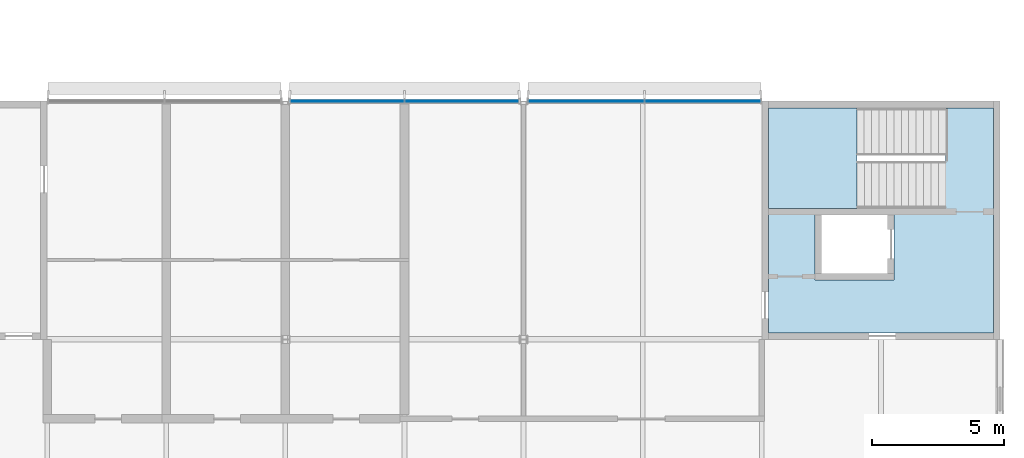
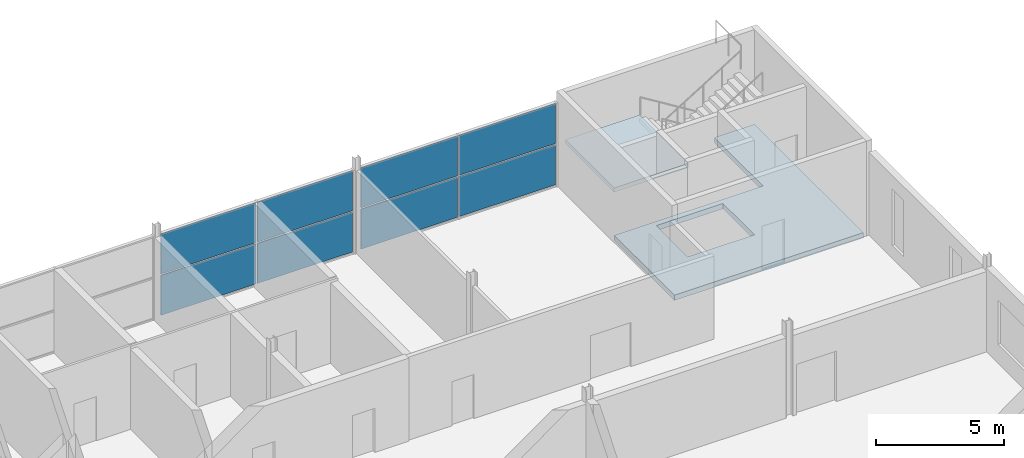
# One storey, part 64 of 97: 8 plates, 2 slabs, 3 elements without a shape of their own.
"""IFC4 building model written with IfcOpenShell, lengths in metres."""

import ifcopenshell
import ifcopenshell.guid

model = None  # the IFC model being written
_history = None  # IfcOwnerHistory: only IFC2X3 demands one
_inside = {}  # id of a spatial element -> (the spatial element, [elements in it])
_under = {}  # id of a project, library or spatial element -> (it, [spatial elements below it])
_declared = {}  # id of a project -> (the project, [libraries it declares])
_typed = {}  # id of a type object -> (the type object, [elements of that type])
_made_of = {}  # id of a material, layer set ... -> (it, [elements and type objects made of it])


def new_model(schema):
    """Start an empty IFC model of exactly this schema.

    Asked for "IFC4X3", IfcOpenShell would pick the latest addendum, in which some entities
    have other attributes; the version numbers below select the first issue.
    IFC2X3 requires an IfcOwnerHistory on every rooted entity: one is made here for all.
    """
    global model, _history
    if schema == "IFC4X3":
        model = ifcopenshell.file(schema_version=(4, 3, 0, 0))
    else:
        model = ifcopenshell.file(schema=schema)
    _inside.clear()
    _under.clear()
    _declared.clear()
    _typed.clear()
    _made_of.clear()
    _history = None
    if model.schema == "IFC2X3":
        org = make("IfcOrganization", Name="unknown")
        user = make(
            "IfcPersonAndOrganization",
            ThePerson=make("IfcPerson", FamilyName="unknown"),
            TheOrganization=org,
        )
        app = make(
            "IfcApplication",
            ApplicationDeveloper=org,
            Version="unknown",
            ApplicationFullName="unknown",
            ApplicationIdentifier="unknown",
        )
        _history = make(
            "IfcOwnerHistory",
            OwningUser=user,
            OwningApplication=app,
            ChangeAction="ADDED",
            CreationDate=0,
        )
    return model


def make(cls, **values):
    """One entity of the class cls with the attributes given. An attribute that is None is left unset."""
    return model.create_entity(
        cls, **{name: value for name, value in values.items() if value is not None}
    )


def rooted(cls, **values):
    """An entity with a GlobalId (a new one), such as an element, a storey or a relation."""
    return make(cls, GlobalId=ifcopenshell.guid.new(), OwnerHistory=_history, **values)


def si_unit(unit_type, name, prefix=None):
    """IfcSIUnit, for example si_unit("LENGTHUNIT", "METRE", prefix="MILLI")."""
    return make("IfcSIUnit", UnitType=unit_type, Prefix=prefix, Name=name)


def assignment(units):
    """IfcUnitAssignment: the units of a project."""
    return None if units is None else make("IfcUnitAssignment", Units=units)


def point(xyz):
    """IfcCartesianPoint."""
    return None if xyz is None else make("IfcCartesianPoint", Coordinates=xyz)


def direction(xyz):
    """IfcDirection."""
    return None if xyz is None else make("IfcDirection", DirectionRatios=xyz)


def frame(location, z_axis=None, x_axis=None):
    """IfcAxis2Placement3D, a coordinate frame: its origin and axes. An axis left out is left unset."""
    return make(
        "IfcAxis2Placement3D",
        Location=point(location),
        Axis=direction(z_axis),
        RefDirection=direction(x_axis),
    )


def frame_2d(location, x_axis=None):
    """IfcAxis2Placement2D, a coordinate frame in the plane: its origin and x axis."""
    return make(
        "IfcAxis2Placement2D", Location=point(location), RefDirection=direction(x_axis)
    )


def origin():
    """The frame at (0, 0, 0) with its axes left unset."""
    return frame((0.0, 0.0, 0.0))


def origin_2d():
    """The frame at (0, 0) in the plane with its x axis left unset."""
    return frame_2d((0.0, 0.0))


def place(relative_to, where):
    """IfcLocalPlacement: puts the frame where relative to a parent placement (None: the world)."""
    return make(
        "IfcLocalPlacement", PlacementRelTo=relative_to, RelativePlacement=where
    )


def context(
    kind, dimensions, precision=None, world=None, true_north=None, identifier=None
):
    """IfcGeometricRepresentationContext, for example the 3D "Model" context."""
    return make(
        "IfcGeometricRepresentationContext",
        ContextIdentifier=identifier,
        ContextType=kind,
        CoordinateSpaceDimension=dimensions,
        Precision=precision,
        WorldCoordinateSystem=world,
        TrueNorth=true_north,
    )


def subcontext(parent, identifier, kind, view, scale=None):
    """IfcGeometricRepresentationSubContext, for example "Body" below "Model"."""
    return make(
        "IfcGeometricRepresentationSubContext",
        ContextIdentifier=identifier,
        ContextType=kind,
        ParentContext=parent,
        TargetScale=scale,
        TargetView=view,
    )


def project(units=None, contexts=None):
    """IfcProject with its units and contexts."""
    return rooted(
        "IfcProject",
        Name="project",
        RepresentationContexts=contexts,
        UnitsInContext=assignment(units),
    )


def spatial(cls, under=None, at=None, **own):
    """A site, building, storey or space (cls), placed at a placement, below another one or the project."""
    s = rooted(cls, ObjectPlacement=at, **own)
    if under is not None:
        _under.setdefault(under.id(), (under, []))[1].append(s)
    return s


def polyline(points):
    """IfcPolyline through the points."""
    return make("IfcPolyline", Points=[point(p) for p in points])


def profile(cls, at=None, kind="AREA", **sizes):
    """A parametric profile (cls). Its sizes go by their IFC names, for example OverallWidth=200.0."""
    return make(cls, ProfileType=kind, Position=at, **sizes)


def rectangle(**sizes):
    """IfcRectangleProfileDef."""
    return profile("IfcRectangleProfileDef", **sizes)


def outline(outer, holes=None, kind="AREA"):
    """IfcArbitraryClosedProfileDef: a profile drawn as a closed curve; with holes, ...WithVoids."""
    if holes is None:
        return make("IfcArbitraryClosedProfileDef", ProfileType=kind, OuterCurve=outer)
    return make(
        "IfcArbitraryProfileDefWithVoids",
        ProfileType=kind,
        OuterCurve=outer,
        InnerCurves=holes,
    )


def extrude(swept, where, along, depth):
    """IfcExtrudedAreaSolid: the profile swept, set in the frame where, extruded along a direction by depth."""
    return make(
        "IfcExtrudedAreaSolid",
        SweptArea=swept,
        Position=where,
        ExtrudedDirection=direction(along),
        Depth=depth,
    )


def shape(context_of_items, identifier, shape_type, items):
    """IfcShapeRepresentation: the items that make up one representation, for example the "Body"."""
    return make(
        "IfcShapeRepresentation",
        ContextOfItems=context_of_items,
        RepresentationIdentifier=identifier,
        RepresentationType=shape_type,
        Items=items,
    )


def material(Name=None, Category=None):
    """IfcMaterial."""
    return make("IfcMaterial", Name=Name, Category=Category)


def layer(
    of_material, thickness, ventilated=None, Name=None, Category=None, Priority=None
):
    """IfcMaterialLayer: one layer of a wall or slab, of a material (None: an air gap)."""
    return make(
        "IfcMaterialLayer",
        Material=of_material,
        LayerThickness=thickness,
        IsVentilated=ventilated,
        Name=Name,
        Category=Category,
        Priority=Priority,
    )


def layer_set(layers, Name=None):
    """IfcMaterialLayerSet."""
    return make("IfcMaterialLayerSet", MaterialLayers=layers, LayerSetName=Name)


def made_of(thing, what):
    """Note that an element or type object is made of a material, layer set ...; save() writes the relation."""
    if what is not None:
        _made_of.setdefault(what.id(), (what, []))[1].append(thing)
    return thing


def type_object(cls, material=None, **own):
    """A type object (cls), such as IfcWallType, which elements share."""
    return made_of(rooted(cls, **own), material)


def element(
    cls,
    number,
    at=None,
    inside=None,
    cuts=None,
    type_object=None,
    material=None,
    context=None,
    identifier="Body",
    shape_type=None,
    held_by="IfcProductDefinitionShape",
    body=None,
    shapes=None,
    **own,
):
    """One element of the class cls, such as IfcWall. Its Tag is "e" and its number.

    at: its placement. inside: the storey or other place that contains it. cuts: it is an
    opening in that element (IfcRelVoidsElement). A single representation is given by context,
    identifier, shape_type and body (its items); several are given by shapes. held_by: the class
    of the entity that holds the representations. save() writes the other relations.
    """
    e = rooted(cls, Tag="e%d" % number, ObjectPlacement=at, **own)
    if body is not None:
        shapes = [shape(context, identifier, shape_type, body)]
    if shapes is not None:
        e.Representation = make(held_by, Representations=shapes)
    if inside is not None:
        _inside.setdefault(inside.id(), (inside, []))[1].append(e)
    if cuts is not None:
        rooted(
            "IfcRelVoidsElement", RelatingBuildingElement=cuts, RelatedOpeningElement=e
        )
    if type_object is not None:
        _typed.setdefault(type_object.id(), (type_object, []))[1].append(e)
    return made_of(e, material)


def aggregate(whole, parts):
    """IfcRelAggregates: a whole, such as a stair, and the parts it consists of."""
    return rooted("IfcRelAggregates", RelatingObject=whole, RelatedObjects=parts)


def save(model, path):
    """Write the relations noted so far, then the file.

    IfcRelAggregates (storeys below a building ...), IfcRelContainedInSpatialStructure (elements
    in a storey), IfcRelDefinesByType, IfcRelAssociatesMaterial and IfcRelDeclares: one each for
    every whole, place, type object, material and project.
    """
    for whole, parts in _under.values():
        aggregate(whole, parts)
    for where, things in _inside.values():
        rooted(
            "IfcRelContainedInSpatialStructure",
            RelatedElements=things,
            RelatingStructure=where,
        )
    for kind, things in _typed.values():
        rooted("IfcRelDefinesByType", RelatedObjects=things, RelatingType=kind)
    for what, things in _made_of.values():
        rooted("IfcRelAssociatesMaterial", RelatedObjects=things, RelatingMaterial=what)
    for by, libraries in _declared.values():
        rooted("IfcRelDeclares", RelatingContext=by, RelatedDefinitions=libraries)
    model.write(path)


model = new_model("IFC4")

# Units and contexts
model_context = context("Model", 3, precision=1e-05, world=origin(), true_north=direction((0.0, 1.0)))
body_context = subcontext(model_context, "Body", "Model", "MODEL_VIEW")
ifc_project = project(units=[si_unit("LENGTHUNIT", "METRE"), si_unit("AREAUNIT", "SQUARE_METRE"), si_unit("VOLUMEUNIT", "CUBIC_METRE"), si_unit("PLANEANGLEUNIT", "RADIAN"), si_unit("MASSUNIT", "GRAM", prefix="KILO")], contexts=[model_context])

# Site, building, storey
site_placement = place(None, origin())
site = spatial("IfcSite", under=ifc_project, at=site_placement, CompositionType="ELEMENT")
building_placement = place(site_placement, origin())
building = spatial("IfcBuilding", under=site, at=building_placement, Name="Corbel Yard City Hall", CompositionType="ELEMENT")
storey_placement = place(building_placement, frame((0.0, 0.0, 6.0)))
storey = spatial("IfcBuildingStorey", under=building, at=storey_placement, Name="L01", CompositionType="ELEMENT", Elevation=6.0)

# Slab
ifc_material_1 = material(Name="Concrete N40 (40 MPa)", Category="concrete")
ifc_layer_1 = layer(ifc_material_1, 0.25)
ifc_layer_set_1 = layer_set([ifc_layer_1], Name="Concrete N40 (40 MPa)")
slab_type_1 = type_object("IfcSlabType", Name="CF1", PredefinedType="FLOOR", material=ifc_layer_set_1)
slab_1_placement = place(storey_placement, frame((0.0, 0.0, -0.25)))
element("IfcSlab", 1, at=slab_1_placement, inside=storey, type_object=slab_type_1, Name="Core floor slab", PredefinedType="FLOOR", context=body_context, shape_type="SweptSolid", body=[
    extrude(outline(polyline([(179.75, 116.75), (177.948974609375, 116.75), (177.948974609375, 112.949951171875), (171.25, 112.949951171875), (171.25, 108.25), (179.75, 108.25), (179.75, 116.75)]), holes=[polyline([(176.0, 110.25), (176.0, 112.699951171875), (173.0, 112.699951171875), (173.0, 110.25), (176.0, 110.25)])]), origin(), (0.0, 0.0, 1.0), 0.25),
])

# Stair, slab
stair_type = type_object("IfcStairType", Name="ST1", PredefinedType="HALF_TURN_STAIR", material=ifc_material_1)
stair_placement = place(storey_placement, origin())
stair = element("IfcStair", 2, at=stair_placement, inside=storey, type_object=stair_type, Name="Exit stair L01", PredefinedType="HALF_TURN_STAIR")
ifc_layer_2 = layer(ifc_material_1, 0.199951171875)
ifc_layer_set_2 = layer_set([ifc_layer_2], Name="Concrete N40 (40 MPa)")
slab_type_2 = type_object("IfcSlabType", Name="LN1", PredefinedType="LANDING", material=ifc_layer_set_2)
slab_2_placement = place(storey_placement, frame((0.0, 0.0, 2.050048828125)))
slab_2 = element("IfcSlab", 3, at=slab_2_placement, type_object=slab_type_2, Name="PS19 landing 1", PredefinedType="LANDING", context=body_context, shape_type="SweptSolid", body=[
    extrude(outline(polyline([(171.25, 112.949951171875), (174.590087890625, 112.949951171875), (174.590087890625, 116.75), (171.25, 116.75), (171.25, 112.949951171875)])), origin(), (0.0, 0.0, 1.0), 0.199951171875),
])
aggregate(stair, [slab_2])

# Curtain wall, plates
ifc_material_2 = material(Name="Aluminium extrusion", Category="aluminium")
ifc_layer_3 = layer(ifc_material_2, 0.199951171875)
ifc_layer_set_3 = layer_set([ifc_layer_3], Name="Aluminium extrusion")
curtain_wall_type = type_object("IfcCurtainWallType", Name="CW1", PredefinedType="USERDEFINED", material=ifc_layer_set_3)
curtain_wall_1_placement = place(storey_placement, origin())
curtain_wall_1 = element("IfcCurtainWall", 4, at=curtain_wall_1_placement, inside=storey, type_object=curtain_wall_type, Name="Curtain wall CW1 L01", ObjectType="CURTAIN WALL", PredefinedType="USERDEFINED")
ifc_material_3 = material(Name="Laminated glass", Category="glass")
ifc_layer_4 = layer(ifc_material_3, 0.035888671875)
ifc_layer_set_4 = layer_set([ifc_layer_4], Name="Laminated glass")
plate_type = type_object("IfcPlateType", Name="PN1", PredefinedType="CURTAIN_PANEL", material=ifc_layer_set_4)
plate_1_placement = place(storey_placement, frame((155.331298828125, 117.0, 0.06494140625), z_axis=(0.0, 0.0, 1.0), x_axis=(1.0, 0.0, 0.0)))
plate_1 = element("IfcPlate", 5, at=plate_1_placement, type_object=plate_type, Name="CW1 panel 1.1", PredefinedType="CURTAIN_PANEL", context=body_context, shape_type="SweptSolid", body=[
    extrude(rectangle(XDim=4.2724609375, YDim=0.035888671875, at=origin_2d()), origin(), (0.0, 0.0, 1.0), 1.89794921875),
])
plate_2_placement = place(storey_placement, frame((155.331298828125, 117.0, 2.028076171875), z_axis=(0.0, 0.0, 1.0), x_axis=(1.0, 0.0, 0.0)))
plate_2 = element("IfcPlate", 6, at=plate_2_placement, type_object=plate_type, Name="CW1 panel 1.2", PredefinedType="CURTAIN_PANEL", context=body_context, shape_type="SweptSolid", body=[
    extrude(rectangle(XDim=4.2724609375, YDim=0.035888671875, at=origin_2d()), origin(), (0.0, 0.0, 1.0), 1.89794921875),
])
plate_3_placement = place(storey_placement, frame((159.668701171875, 117.0, 0.06494140625), z_axis=(0.0, 0.0, 1.0), x_axis=(1.0, 0.0, 0.0)))
plate_3 = element("IfcPlate", 7, at=plate_3_placement, type_object=plate_type, Name="CW1 panel 2.1", PredefinedType="CURTAIN_PANEL", context=body_context, shape_type="SweptSolid", body=[
    extrude(rectangle(XDim=4.2724609375, YDim=0.035888671875, at=origin_2d()), origin(), (0.0, 0.0, 1.0), 1.89794921875),
])
plate_4_placement = place(storey_placement, frame((159.668701171875, 117.0, 2.028076171875), z_axis=(0.0, 0.0, 1.0), x_axis=(1.0, 0.0, 0.0)))
plate_4 = element("IfcPlate", 8, at=plate_4_placement, type_object=plate_type, Name="CW1 panel 2.2", PredefinedType="CURTAIN_PANEL", context=body_context, shape_type="SweptSolid", body=[
    extrude(rectangle(XDim=4.2724609375, YDim=0.035888671875, at=origin_2d()), origin(), (0.0, 0.0, 1.0), 1.89794921875),
])
aggregate(curtain_wall_1, [plate_1, plate_2, plate_3, plate_4])

curtain_wall_2_placement = place(storey_placement, origin())
curtain_wall_2 = element("IfcCurtainWall", 9, at=curtain_wall_2_placement, inside=storey, type_object=curtain_wall_type, Name="Curtain wall CW1 L01", ObjectType="CURTAIN WALL", PredefinedType="USERDEFINED")
plate_5_placement = place(storey_placement, frame((164.36376953125, 117.0, 0.06494140625), z_axis=(0.0, 0.0, 1.0), x_axis=(1.0, 0.0, 0.0)))
plate_5 = element("IfcPlate", 10, at=plate_5_placement, type_object=plate_type, Name="CW1 panel 1.1", PredefinedType="CURTAIN_PANEL", context=body_context, shape_type="SweptSolid", body=[
    extrude(rectangle(XDim=4.33740234375, YDim=0.035888671875, at=origin_2d()), origin(), (0.0, 0.0, 1.0), 1.89794921875),
])
plate_6_placement = place(storey_placement, frame((164.36376953125, 117.0, 2.028076171875), z_axis=(0.0, 0.0, 1.0), x_axis=(1.0, 0.0, 0.0)))
plate_6 = element("IfcPlate", 11, at=plate_6_placement, type_object=plate_type, Name="CW1 panel 1.2", PredefinedType="CURTAIN_PANEL", context=body_context, shape_type="SweptSolid", body=[
    extrude(rectangle(XDim=4.33740234375, YDim=0.035888671875, at=origin_2d()), origin(), (0.0, 0.0, 1.0), 1.89794921875),
])
plate_7_placement = place(storey_placement, frame((168.766357421875, 117.0, 0.06494140625), z_axis=(0.0, 0.0, 1.0), x_axis=(1.0, 0.0, 0.0)))
plate_7 = element("IfcPlate", 12, at=plate_7_placement, type_object=plate_type, Name="CW1 panel 2.1", PredefinedType="CURTAIN_PANEL", context=body_context, shape_type="SweptSolid", body=[
    extrude(rectangle(XDim=4.33740234375, YDim=0.035888671875, at=origin_2d()), origin(), (0.0, 0.0, 1.0), 1.89794921875),
])
plate_8_placement = place(storey_placement, frame((168.766357421875, 117.0, 2.028076171875), z_axis=(0.0, 0.0, 1.0), x_axis=(1.0, 0.0, 0.0)))
plate_8 = element("IfcPlate", 13, at=plate_8_placement, type_object=plate_type, Name="CW1 panel 2.2", PredefinedType="CURTAIN_PANEL", context=body_context, shape_type="SweptSolid", body=[
    extrude(rectangle(XDim=4.33740234375, YDim=0.035888671875, at=origin_2d()), origin(), (0.0, 0.0, 1.0), 1.89794921875),
])
aggregate(curtain_wall_2, [plate_5, plate_6, plate_7, plate_8])

save(model, "model.ifc")
